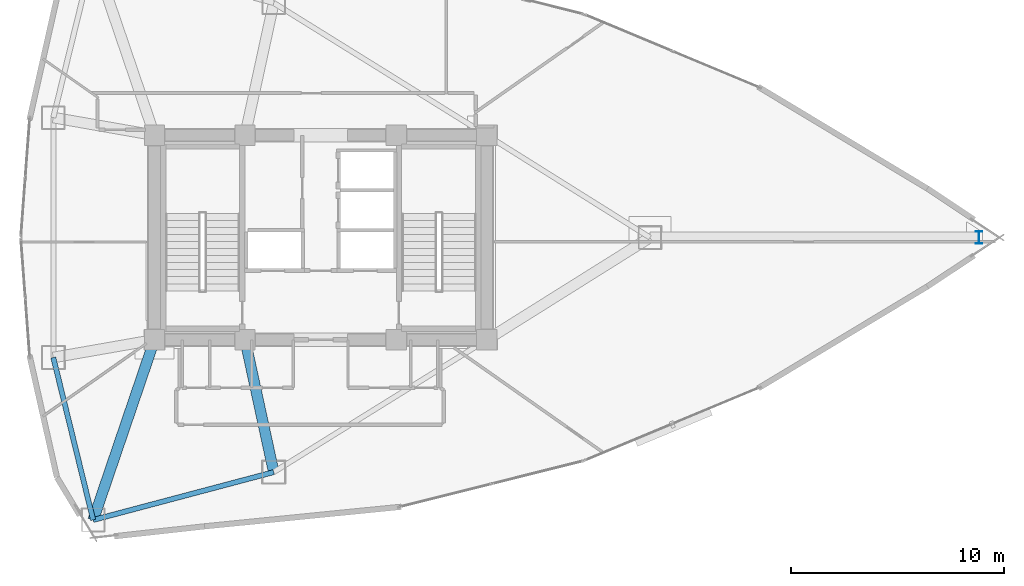
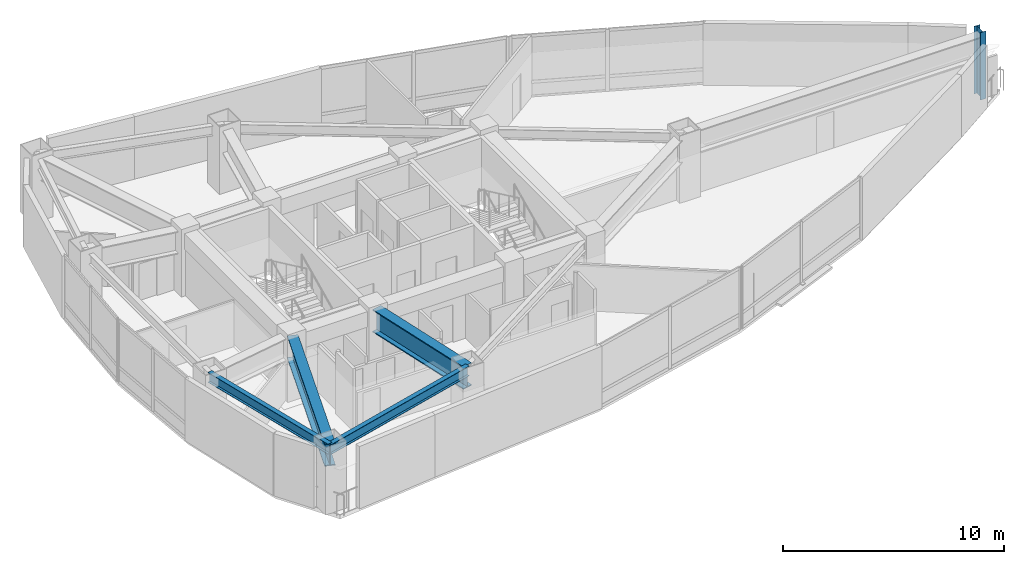
# One storey, part 2 of 18: 4 beams, 1 column.
"""IFC4 building model written with IfcOpenShell, lengths in metres."""

from ifc_helpers import new_model, si_unit, direction, frame, origin, origin_2d, place, context, subcontext, project, spatial, i_section, extrude, material, material_profile, profile_set, type_object, element, save


model = new_model("IFC4")

# Units and contexts
model_context = context("Model", 3, precision=1e-05, world=origin(), true_north=direction((0.0, 1.0)))
body_context = subcontext(model_context, "Body", "Model", "MODEL_VIEW")
ifc_project = project(units=[si_unit("LENGTHUNIT", "METRE"), si_unit("AREAUNIT", "SQUARE_METRE"), si_unit("VOLUMEUNIT", "CUBIC_METRE"), si_unit("PLANEANGLEUNIT", "RADIAN"), si_unit("MASSUNIT", "GRAM", prefix="KILO")], contexts=[model_context])

# Site, building, storey
site_placement = place(None, origin())
site = spatial("IfcSite", under=ifc_project, at=site_placement, CompositionType="ELEMENT")
building_placement = place(site_placement, origin())
building = spatial("IfcBuilding", under=site, at=building_placement, Name="Menara Vayukalpa", CompositionType="ELEMENT")
storey_placement = place(building_placement, frame((0.0, 0.0, 169.199951171875)))
storey = spatial("IfcBuildingStorey", under=building, at=storey_placement, Name="L42", CompositionType="ELEMENT", Elevation=169.199951171875)

# Column
ifc_material_1 = material(Name="Steel S460", Category="steel")
ifc_material_profile_1 = material_profile(ifc_material_1, i_section(OverallWidth=0.300048828125, OverallDepth=0.587890625, WebThickness=0.011962890625, FlangeThickness=0.02001953125, at=origin_2d()), Name="H 588x300x12x20")
ifc_profile_set_1 = profile_set([ifc_material_profile_1], Name="Steel S460")
column_type = type_object("IfcColumnType", Name="COL-SC1", PredefinedType="COLUMN", material=ifc_profile_set_1)
column_placement = place(storey_placement, frame((56.501953125, 22.0, 0.0), z_axis=(0.0, 0.0, 1.0), x_axis=(1.0, 0.0, 0.0)))
element("IfcColumn", 1, at=column_placement, inside=storey, type_object=column_type, Name="L42 SB3 Sky Bar Vierendeel Column SB01", PredefinedType="COLUMN", context=body_context, shape_type="SweptSolid", body=[
    extrude(i_section(OverallWidth=0.300048828125, OverallDepth=0.587890625, WebThickness=0.011962890625, FlangeThickness=0.02001953125, at=origin_2d()), origin(), (0.0, 0.0, 1.0), 3.719970703125),
])

# Beams
ifc_material_2 = material(Name="Steel S355", Category="steel")
ifc_material_profile_2 = material_profile(ifc_material_2, i_section(OverallWidth=0.239990234375, OverallDepth=0.550048828125, WebThickness=0.010986328125, FlangeThickness=0.01904296875, at=origin_2d()), Name="WF 550x240x11x19")
ifc_profile_set_2 = profile_set([ifc_material_profile_2], Name="Steel S355")
beam_type_1 = type_object("IfcBeamType", Name="BM-SP2", PredefinedType="SPANDREL", material=ifc_profile_set_2)
beam_1_placement = place(storey_placement, frame((13.049072265625, 16.3681640625, 3.1650390625), z_axis=(0.238240335346, -0.971206230733, 0.0), x_axis=(0.971206230733, 0.238240335346, 0.0)))
element("IfcBeam", 2, at=beam_1_placement, inside=storey, type_object=beam_type_1, Name="L42 Perimeter Spandrel Beam SP06", PredefinedType="SPANDREL", context=body_context, shape_type="SweptSolid", body=[
    extrude(i_section(OverallWidth=0.239990234375, OverallDepth=0.550048828125, WebThickness=0.010986328125, FlangeThickness=0.01904296875, at=origin_2d()), origin(), (0.0, 0.0, 1.0), 7.854736328125),
])
beam_2_placement = place(storey_placement, frame((14.92041015625, 8.739501953125, 3.1650390625), z_axis=(0.96657141455, 0.256397544009, 0.0), x_axis=(-0.256397544009, 0.96657141455, 0.0)))
element("IfcBeam", 3, at=beam_2_placement, inside=storey, type_object=beam_type_1, Name="L42 Perimeter Spandrel Beam SP07", PredefinedType="SPANDREL", context=body_context, shape_type="SweptSolid", body=[
    extrude(i_section(OverallWidth=0.239990234375, OverallDepth=0.550048828125, WebThickness=0.010986328125, FlangeThickness=0.01904296875, at=origin_2d()), origin(), (0.0, 0.0, 1.0), 8.769775390625),
])
ifc_material_3 = material(Name="Steel S460", Category="steel")
ifc_material_profile_3 = material_profile(ifc_material_3, i_section(OverallWidth=0.5, OverallDepth=1.25, WebThickness=0.028076171875, FlangeThickness=0.054931640625, at=origin_2d()), Name="WG 1250x500x28x55")
ifc_profile_set_3 = profile_set([ifc_material_profile_3], Name="Steel S460")
beam_type_2 = type_object("IfcBeamType", Name="BM-TG2", PredefinedType="BEAM", material=ifc_profile_set_3)
beam_3_placement = place(storey_placement, frame((17.719482421875, 16.96337890625, 2.81494140625), z_axis=(-0.322207533072, -0.946669058136, 0.0), x_axis=(0.946669058136, -0.322207533072, 0.0)))
element("IfcBeam", 4, at=beam_3_placement, inside=storey, type_object=beam_type_2, Name="L42 Primary Radial Girder RG07", PredefinedType="BEAM", context=body_context, shape_type="SweptSolid", body=[
    extrude(i_section(OverallWidth=0.5, OverallDepth=1.25, WebThickness=0.028076171875, FlangeThickness=0.054931640625, at=origin_2d()), origin(), (0.0, 0.0, 1.0), 8.687255859375),
])
beam_4_placement = place(storey_placement, frame((22.10302734375, 16.955810546875, 2.81494140625), z_axis=(0.211898459532, -0.9772916877, 0.0), x_axis=(0.9772916877, 0.211898459532, 0.0)))
element("IfcBeam", 5, at=beam_4_placement, inside=storey, type_object=beam_type_2, Name="L42 Primary Radial Girder RG08", PredefinedType="BEAM", context=body_context, shape_type="SweptSolid", body=[
    extrude(i_section(OverallWidth=0.5, OverallDepth=1.25, WebThickness=0.028076171875, FlangeThickness=0.054931640625, at=origin_2d()), origin(), (0.0, 0.0, 1.0), 6.1064453125),
])

save(model, "model.ifc")
